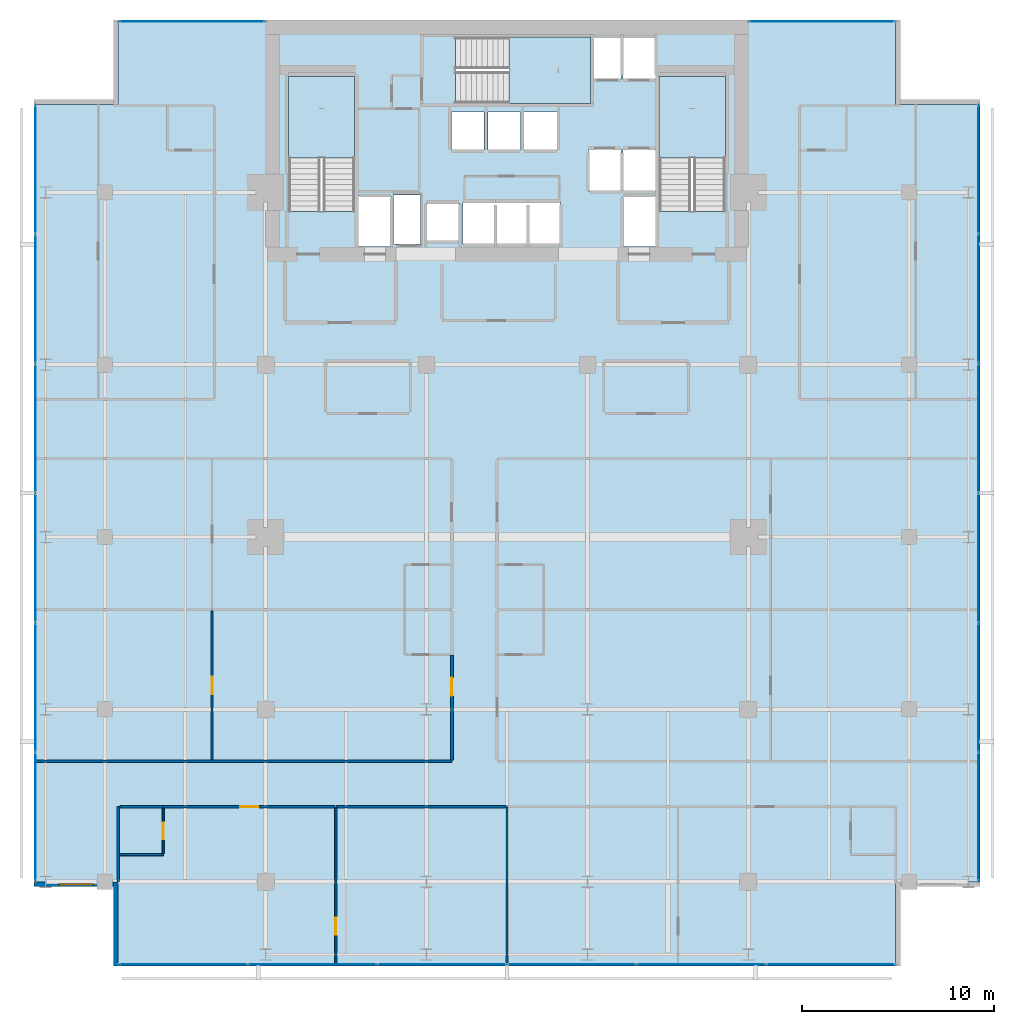
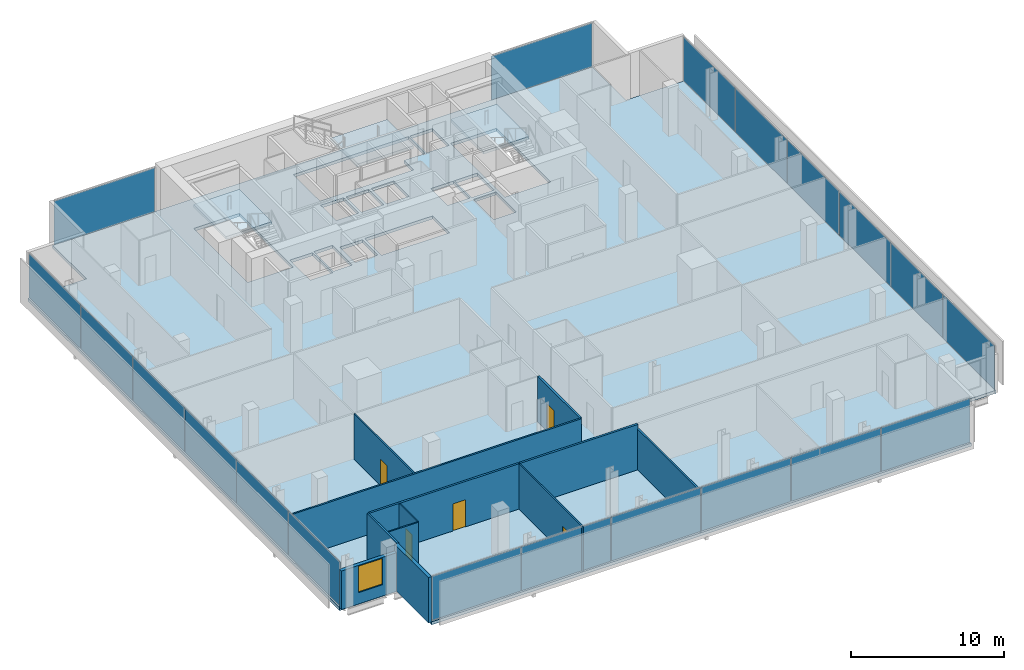
# One storey, part 26 of 32: 20 plates, 13 walls, 5 doors, 4 slabs, 1 window, 6 openings, 8 elements without a shape of their own.
"""IFC4 building model written with IfcOpenShell, lengths in metres."""

from ifc_helpers import new_model, si_unit, direction, frame, frame_2d, origin, origin_2d, place, context, subcontext, project, spatial, polyline, rectangle, outline, extrude, material, layer, layer_set, type_object, element, fill, aggregate, save


model = new_model("IFC4")

# Units and contexts
model_context = context("Model", 3, precision=1e-05, world=origin(), true_north=direction((0.0, 1.0)))
body_context = subcontext(model_context, "Body", "Model", "MODEL_VIEW")
ifc_project = project(units=[si_unit("LENGTHUNIT", "METRE"), si_unit("AREAUNIT", "SQUARE_METRE"), si_unit("VOLUMEUNIT", "CUBIC_METRE"), si_unit("PLANEANGLEUNIT", "RADIAN"), si_unit("MASSUNIT", "GRAM", prefix="KILO")], contexts=[model_context])

# Site, building, storey
site_placement = place(None, origin())
site = spatial("IfcSite", under=ifc_project, at=site_placement, CompositionType="ELEMENT")
building_placement = place(site_placement, origin())
building = spatial("IfcBuilding", under=site, at=building_placement, Name="Maruvema Waterfront Hotel and Observation Tower", CompositionType="ELEMENT")
storey_placement = place(building_placement, frame((0.0, 0.0, 219.800048828125)))
storey = spatial("IfcBuildingStorey", under=building, at=storey_placement, Name="L54", CompositionType="ELEMENT", Elevation=219.800048828125)

# Slab
ifc_material_1 = material(Name="Concrete C50/60", Category="concrete")
ifc_layer_1 = layer(ifc_material_1, 0.239990234375, Name="Reinforced Concrete Floor Slab 240 mm")
ifc_layer_set_1 = layer_set([ifc_layer_1], Name="Concrete C50/60")
slab_type_1 = type_object("IfcSlabType", Name="Reinforced Concrete Floor Slab 240 mm", PredefinedType="FLOOR", material=ifc_layer_set_1)
slab_1_placement = place(storey_placement, frame((0.0, 0.0, -0.239990234375)))
element("IfcSlab", 1, at=slab_1_placement, inside=storey, type_object=slab_type_1, Name="L54 Structural Floor Slab", PredefinedType="FLOOR", context=body_context, shape_type="SweptSolid", body=[
    extrude(outline(polyline([(17.5, 4.60009765625), (58.10009765625, 4.60009765625), (58.10009765625, 9.0), (62.5, 9.0), (62.5, 49.60009765625), (58.10009765625, 49.60009765625), (58.10009765625, 54.0), (17.5, 54.0), (17.5, 49.60009765625), (13.10009765625, 49.60009765625), (13.10009765625, 9.0), (17.5, 9.0), (17.5, 4.60009765625)]), holes=[polyline([(26.39990234375, 44.00048828125), (26.39990234375, 51.050048828125), (29.85009765625, 51.050048828125), (29.85009765625, 44.00048828125), (26.39990234375, 44.00048828125)]), polyline([(30.050048828125, 44.800048828125), (31.75, 44.800048828125), (31.75, 42.169921875), (30.050048828125, 42.169921875), (30.050048828125, 44.800048828125)]), polyline([(31.8798828125, 44.860107421875), (33.280029296875, 44.860107421875), (33.280029296875, 42.2900390625), (31.8798828125, 42.2900390625), (31.8798828125, 44.860107421875)]), polyline([(33.60009765625, 44.449951171875), (35.300048828125, 44.449951171875), (35.300048828125, 42.449951171875), (33.60009765625, 42.449951171875), (33.60009765625, 44.449951171875)]), polyline([(34.89990234375, 49.199951171875), (36.60009765625, 49.199951171875), (36.60009765625, 47.199951171875), (34.89990234375, 47.199951171875), (34.89990234375, 49.199951171875)]), polyline([(36.800048828125, 49.199951171875), (38.5, 49.199951171875), (38.5, 47.199951171875), (36.800048828125, 47.199951171875), (36.800048828125, 49.199951171875)]), polyline([(35.5, 42.300048828125), (35.5, 44.5), (40.60009765625, 44.5), (40.60009765625, 42.300048828125), (35.5, 42.300048828125)]), polyline([(35.1005859375, 53.10009765625), (43.75, 53.10009765625), (43.75, 50.89990234375), (42.14990234375, 50.89990234375), (42.14990234375, 49.64990234375), (35.1005859375, 49.64990234375), (35.1005859375, 53.10009765625)]), polyline([(38.699951171875, 49.199951171875), (40.39990234375, 49.199951171875), (40.39990234375, 47.199951171875), (38.699951171875, 47.199951171875), (38.699951171875, 49.199951171875)]), polyline([(42.050048828125, 47.25), (43.75, 47.25), (43.75, 45.050048828125), (42.050048828125, 45.050048828125), (42.050048828125, 47.25)]), polyline([(43.85009765625, 44.800048828125), (45.550048828125, 44.800048828125), (45.550048828125, 42.169921875), (43.85009765625, 42.169921875), (43.85009765625, 44.800048828125)]), polyline([(43.85009765625, 47.25), (45.550048828125, 47.25), (45.550048828125, 45.050048828125), (43.85009765625, 45.050048828125), (43.85009765625, 47.25)]), polyline([(45.550048828125, 53.10009765625), (45.550048828125, 50.89990234375), (43.85009765625, 50.89990234375), (43.85009765625, 53.10009765625), (45.550048828125, 53.10009765625)]), polyline([(45.75, 44.00048828125), (45.75, 51.050048828125), (49.199951171875, 51.050048828125), (49.199951171875, 44.00048828125), (45.75, 44.00048828125)])]), origin(), (0.0, 0.0, 1.0), 0.239990234375),
])

# Curtain wall, plates
ifc_material_2 = material(Name="Anodised bronze aluminium and solar-control low-E IGU", Category="aluminium")
ifc_layer_2 = layer(ifc_material_2, 0.159912109375, Name="Zone 2 Amber Inner Thermal Curtain Wall System CW-03")
ifc_layer_set_2 = layer_set([ifc_layer_2], Name="Anodised bronze aluminium and solar-control low-E IGU")
curtain_wall_type = type_object("IfcCurtainWallType", Name="Zone 2 Amber Inner Thermal Curtain Wall System CW-03", PredefinedType="USERDEFINED", material=ifc_layer_set_2)
curtain_wall_1_placement = place(storey_placement, origin())
curtain_wall_1 = element("IfcCurtainWall", 2, at=curtain_wall_1_placement, inside=storey, type_object=curtain_wall_type, Name="L54 Curtain Wall CW-L54-S", ObjectType="UNITISED CURTAIN WALL", PredefinedType="USERDEFINED")
ifc_material_3 = material(Name="Laminated low-E solar-control double glazing", Category="glass")
ifc_layer_3 = layer(ifc_material_3, 0.035888671875, Name="Solar Control Double-Glazed Curtain Panel 36 mm")
ifc_layer_set_3 = layer_set([ifc_layer_3], Name="Laminated low-E solar-control double glazing")
plate_type = type_object("IfcPlateType", Name="Solar Control Double-Glazed Curtain Panel 36 mm", PredefinedType="CURTAIN_PANEL", material=ifc_layer_set_3)
plate_1_placement = place(storey_placement, frame((20.8984375, 4.679931640625, 0.06005859375), z_axis=(0.0, 0.0, 1.0), x_axis=(1.0, 0.0, 0.0)))
plate_1 = element("IfcPlate", 3, at=plate_1_placement, type_object=plate_type, Name="CW-03 panel 1.1", PredefinedType="CURTAIN_PANEL", context=body_context, shape_type="SweptSolid", body=[
    extrude(rectangle(XDim=6.6767578125, YDim=0.028076171875, at=origin_2d()), origin(), (0.0, 0.0, 1.0), 3.489990234375),
])
plate_2_placement = place(storey_placement, frame((27.64990234375, 4.679931640625, 0.06005859375), z_axis=(0.0, 0.0, 1.0), x_axis=(1.0, 0.0, 0.0)))
plate_2 = element("IfcPlate", 4, at=plate_2_placement, type_object=plate_type, Name="CW-03 panel 2.1", PredefinedType="CURTAIN_PANEL", context=body_context, shape_type="SweptSolid", body=[
    extrude(rectangle(XDim=6.706787109375, YDim=0.028076171875, at=origin_2d()), origin(), (0.0, 0.0, 1.0), 3.489990234375),
])
plate_3_placement = place(storey_placement, frame((34.416748046875, 4.679931640625, 0.06005859375), z_axis=(0.0, 0.0, 1.0), x_axis=(1.0, 0.0, 0.0)))
plate_3 = element("IfcPlate", 5, at=plate_3_placement, type_object=plate_type, Name="CW-03 panel 3.1", PredefinedType="CURTAIN_PANEL", context=body_context, shape_type="SweptSolid", body=[
    extrude(rectangle(XDim=6.706787109375, YDim=0.028076171875, at=origin_2d()), origin(), (0.0, 0.0, 1.0), 3.489990234375),
])
plate_4_placement = place(storey_placement, frame((41.183349609375, 4.679931640625, 0.06005859375), z_axis=(0.0, 0.0, 1.0), x_axis=(1.0, 0.0, 0.0)))
plate_4 = element("IfcPlate", 6, at=plate_4_placement, type_object=plate_type, Name="CW-03 panel 4.1", PredefinedType="CURTAIN_PANEL", context=body_context, shape_type="SweptSolid", body=[
    extrude(rectangle(XDim=6.706787109375, YDim=0.028076171875, at=origin_2d()), origin(), (0.0, 0.0, 1.0), 3.489990234375),
])
plate_5_placement = place(storey_placement, frame((47.949951171875, 4.679931640625, 0.06005859375), z_axis=(0.0, 0.0, 1.0), x_axis=(1.0, 0.0, 0.0)))
plate_5 = element("IfcPlate", 7, at=plate_5_placement, type_object=plate_type, Name="CW-03 panel 5.1", PredefinedType="CURTAIN_PANEL", context=body_context, shape_type="SweptSolid", body=[
    extrude(rectangle(XDim=6.706787109375, YDim=0.028076171875, at=origin_2d()), origin(), (0.0, 0.0, 1.0), 3.489990234375),
])
plate_6_placement = place(storey_placement, frame((54.70166015625, 4.679931640625, 0.06005859375), z_axis=(0.0, 0.0, 1.0), x_axis=(1.0, 0.0, 0.0)))
plate_6 = element("IfcPlate", 8, at=plate_6_placement, type_object=plate_type, Name="CW-03 panel 6.1", PredefinedType="CURTAIN_PANEL", context=body_context, shape_type="SweptSolid", body=[
    extrude(rectangle(XDim=6.6767578125, YDim=0.028076171875, at=origin_2d()), origin(), (0.0, 0.0, 1.0), 3.489990234375),
])
aggregate(curtain_wall_1, [plate_1, plate_2, plate_3, plate_4, plate_5, plate_6])

curtain_wall_2_placement = place(storey_placement, origin())
curtain_wall_2 = element("IfcCurtainWall", 9, at=curtain_wall_2_placement, inside=storey, type_object=curtain_wall_type, Name="L54 Curtain Wall CW-L54-E", ObjectType="UNITISED CURTAIN WALL", PredefinedType="USERDEFINED")
plate_7_placement = place(storey_placement, frame((62.419921875, 12.3984375, 0.06005859375), z_axis=(0.0, 0.0, 1.0), x_axis=(0.0, 1.0, 0.0)))
plate_7 = element("IfcPlate", 10, at=plate_7_placement, type_object=plate_type, Name="CW-03 panel 1.1", PredefinedType="CURTAIN_PANEL", context=body_context, shape_type="SweptSolid", body=[
    extrude(rectangle(XDim=6.6767578125, YDim=0.028076171875, at=origin_2d()), origin(), (0.0, 0.0, 1.0), 3.489990234375),
])
plate_8_placement = place(storey_placement, frame((62.419921875, 19.14990234375, 0.06005859375), z_axis=(0.0, 0.0, 1.0), x_axis=(0.0, 1.0, 0.0)))
plate_8 = element("IfcPlate", 11, at=plate_8_placement, type_object=plate_type, Name="CW-03 panel 2.1", PredefinedType="CURTAIN_PANEL", context=body_context, shape_type="SweptSolid", body=[
    extrude(rectangle(XDim=6.706787109375, YDim=0.028076171875, at=origin_2d()), origin(), (0.0, 0.0, 1.0), 3.489990234375),
])
plate_9_placement = place(storey_placement, frame((62.419921875, 25.916748046875, 0.06005859375), z_axis=(0.0, 0.0, 1.0), x_axis=(0.0, 1.0, 0.0)))
plate_9 = element("IfcPlate", 12, at=plate_9_placement, type_object=plate_type, Name="CW-03 panel 3.1", PredefinedType="CURTAIN_PANEL", context=body_context, shape_type="SweptSolid", body=[
    extrude(rectangle(XDim=6.706787109375, YDim=0.028076171875, at=origin_2d()), origin(), (0.0, 0.0, 1.0), 3.489990234375),
])
plate_10_placement = place(storey_placement, frame((62.419921875, 32.683349609375, 0.06005859375), z_axis=(0.0, 0.0, 1.0), x_axis=(0.0, 1.0, 0.0)))
plate_10 = element("IfcPlate", 13, at=plate_10_placement, type_object=plate_type, Name="CW-03 panel 4.1", PredefinedType="CURTAIN_PANEL", context=body_context, shape_type="SweptSolid", body=[
    extrude(rectangle(XDim=6.706787109375, YDim=0.028076171875, at=origin_2d()), origin(), (0.0, 0.0, 1.0), 3.489990234375),
])
plate_11_placement = place(storey_placement, frame((62.419921875, 39.449951171875, 0.06005859375), z_axis=(0.0, 0.0, 1.0), x_axis=(0.0, 1.0, 0.0)))
plate_11 = element("IfcPlate", 14, at=plate_11_placement, type_object=plate_type, Name="CW-03 panel 5.1", PredefinedType="CURTAIN_PANEL", context=body_context, shape_type="SweptSolid", body=[
    extrude(rectangle(XDim=6.706787109375, YDim=0.028076171875, at=origin_2d()), origin(), (0.0, 0.0, 1.0), 3.489990234375),
])
plate_12_placement = place(storey_placement, frame((62.419921875, 46.20166015625, 0.06005859375), z_axis=(0.0, 0.0, 1.0), x_axis=(0.0, 1.0, 0.0)))
plate_12 = element("IfcPlate", 15, at=plate_12_placement, type_object=plate_type, Name="CW-03 panel 6.1", PredefinedType="CURTAIN_PANEL", context=body_context, shape_type="SweptSolid", body=[
    extrude(rectangle(XDim=6.6767578125, YDim=0.028076171875, at=origin_2d()), origin(), (0.0, 0.0, 1.0), 3.489990234375),
])
aggregate(curtain_wall_2, [plate_7, plate_8, plate_9, plate_10, plate_11, plate_12])

curtain_wall_3_placement = place(storey_placement, origin())
curtain_wall_3 = element("IfcCurtainWall", 16, at=curtain_wall_3_placement, inside=storey, type_object=curtain_wall_type, Name="L54 Curtain Wall CW-L54-W", ObjectType="UNITISED CURTAIN WALL", PredefinedType="USERDEFINED")
plate_13_placement = place(storey_placement, frame((13.179931640625, 46.20166015625, 0.06005859375), z_axis=(0.0, 0.0, 1.0), x_axis=(0.0, -1.0, 0.0)))
plate_13 = element("IfcPlate", 17, at=plate_13_placement, type_object=plate_type, Name="CW-03 panel 1.1", PredefinedType="CURTAIN_PANEL", context=body_context, shape_type="SweptSolid", body=[
    extrude(rectangle(XDim=6.6767578125, YDim=0.028076171875, at=origin_2d()), origin(), (0.0, 0.0, 1.0), 3.489990234375),
])
plate_14_placement = place(storey_placement, frame((13.179931640625, 39.449951171875, 0.06005859375), z_axis=(0.0, 0.0, 1.0), x_axis=(0.0, -1.0, 0.0)))
plate_14 = element("IfcPlate", 18, at=plate_14_placement, type_object=plate_type, Name="CW-03 panel 2.1", PredefinedType="CURTAIN_PANEL", context=body_context, shape_type="SweptSolid", body=[
    extrude(rectangle(XDim=6.706787109375, YDim=0.028076171875, at=origin_2d()), origin(), (0.0, 0.0, 1.0), 3.489990234375),
])
plate_15_placement = place(storey_placement, frame((13.179931640625, 32.683349609375, 0.06005859375), z_axis=(0.0, 0.0, 1.0), x_axis=(0.0, -1.0, 0.0)))
plate_15 = element("IfcPlate", 19, at=plate_15_placement, type_object=plate_type, Name="CW-03 panel 3.1", PredefinedType="CURTAIN_PANEL", context=body_context, shape_type="SweptSolid", body=[
    extrude(rectangle(XDim=6.706787109375, YDim=0.028076171875, at=origin_2d()), origin(), (0.0, 0.0, 1.0), 3.489990234375),
])
plate_16_placement = place(storey_placement, frame((13.179931640625, 25.916748046875, 0.06005859375), z_axis=(0.0, 0.0, 1.0), x_axis=(0.0, -1.0, 0.0)))
plate_16 = element("IfcPlate", 20, at=plate_16_placement, type_object=plate_type, Name="CW-03 panel 4.1", PredefinedType="CURTAIN_PANEL", context=body_context, shape_type="SweptSolid", body=[
    extrude(rectangle(XDim=6.706787109375, YDim=0.028076171875, at=origin_2d()), origin(), (0.0, 0.0, 1.0), 3.489990234375),
])
plate_17_placement = place(storey_placement, frame((13.179931640625, 19.14990234375, 0.06005859375), z_axis=(0.0, 0.0, 1.0), x_axis=(0.0, -1.0, 0.0)))
plate_17 = element("IfcPlate", 21, at=plate_17_placement, type_object=plate_type, Name="CW-03 panel 5.1", PredefinedType="CURTAIN_PANEL", context=body_context, shape_type="SweptSolid", body=[
    extrude(rectangle(XDim=6.706787109375, YDim=0.028076171875, at=origin_2d()), origin(), (0.0, 0.0, 1.0), 3.489990234375),
])
plate_18_placement = place(storey_placement, frame((13.179931640625, 12.3984375, 0.06005859375), z_axis=(0.0, 0.0, 1.0), x_axis=(0.0, -1.0, 0.0)))
plate_18 = element("IfcPlate", 22, at=plate_18_placement, type_object=plate_type, Name="CW-03 panel 6.1", PredefinedType="CURTAIN_PANEL", context=body_context, shape_type="SweptSolid", body=[
    extrude(rectangle(XDim=6.6767578125, YDim=0.028076171875, at=origin_2d()), origin(), (0.0, 0.0, 1.0), 3.489990234375),
])
aggregate(curtain_wall_3, [plate_13, plate_14, plate_15, plate_16, plate_17, plate_18])

# Curtain wall, plate
curtain_wall_4_placement = place(storey_placement, origin())
curtain_wall_4 = element("IfcCurtainWall", 23, at=curtain_wall_4_placement, inside=storey, type_object=curtain_wall_type, Name="L54 Curtain Wall CW-L54-NW", ObjectType="UNITISED CURTAIN WALL", PredefinedType="USERDEFINED")
plate_19_placement = place(storey_placement, frame((21.35009765625, 53.919921875, 0.06005859375), z_axis=(0.0, 0.0, 1.0), x_axis=(-1.0, 0.0, 0.0)))
plate_19 = element("IfcPlate", 24, at=plate_19_placement, type_object=plate_type, Name="CW-03 panel 1.1", PredefinedType="CURTAIN_PANEL", context=body_context, shape_type="SweptSolid", body=[
    extrude(rectangle(XDim=7.580078125, YDim=0.028076171875, at=origin_2d()), origin(), (0.0, 0.0, 1.0), 3.489990234375),
])
aggregate(curtain_wall_4, [plate_19])

curtain_wall_5_placement = place(storey_placement, origin())
curtain_wall_5 = element("IfcCurtainWall", 25, at=curtain_wall_5_placement, inside=storey, type_object=curtain_wall_type, Name="L54 Curtain Wall CW-L54-NE", ObjectType="UNITISED CURTAIN WALL", PredefinedType="USERDEFINED")
plate_20_placement = place(storey_placement, frame((54.25, 53.919921875, 0.06005859375), z_axis=(0.0, 0.0, 1.0), x_axis=(-1.0, 0.0, 0.0)))
plate_20 = element("IfcPlate", 26, at=plate_20_placement, type_object=plate_type, Name="CW-03 panel 1.1", PredefinedType="CURTAIN_PANEL", context=body_context, shape_type="SweptSolid", body=[
    extrude(rectangle(XDim=7.580078125, YDim=0.028076171875, at=origin_2d()), origin(), (0.0, 0.0, 1.0), 3.489990234375),
])
aggregate(curtain_wall_5, [plate_20])

# Stair, slab
ifc_material_4 = material(Name="Concrete C50/60", Category="concrete")
stair_type = type_object("IfcStairType", Name="Dogleg Exit Stair 1650 mm (22R x 175.0 mm)", PredefinedType="HALF_TURN_STAIR", material=ifc_material_4)
stair_1_placement = place(storey_placement, origin())
stair_1 = element("IfcStair", 27, at=stair_1_placement, inside=storey, type_object=stair_type, Name="L54 ST-01", PredefinedType="HALF_TURN_STAIR")
ifc_material_5 = material(Name="Concrete C50/60", Category="concrete")
ifc_layer_4 = layer(ifc_material_5, 0.219970703125, Name="Stair Concrete Landing Slab 220 mm")
ifc_layer_set_4 = layer_set([ifc_layer_4], Name="Concrete C50/60")
slab_type_2 = type_object("IfcSlabType", Name="Stair Concrete Landing Slab 220 mm", PredefinedType="LANDING", material=ifc_layer_set_4)
slab_2_placement = place(storey_placement, frame((0.0, 0.0, 1.704833984375)))
slab_2 = element("IfcSlab", 28, at=slab_2_placement, type_object=slab_type_2, Name="ST-01 landing 1", PredefinedType="LANDING", context=body_context, shape_type="SweptSolid", body=[
    extrude(outline(polyline([(29.85009765625, 46.800048828125), (29.85009765625, 51.050048828125), (26.39990234375, 51.050048828125), (26.39990234375, 46.800048828125), (29.85009765625, 46.800048828125)])), origin(), (0.0, 0.0, 1.0), 0.22021484375),
])
aggregate(stair_1, [slab_2])

stair_2_placement = place(storey_placement, origin())
stair_2 = element("IfcStair", 29, at=stair_2_placement, inside=storey, type_object=stair_type, Name="L54 ST-02", PredefinedType="HALF_TURN_STAIR")
slab_3_placement = place(storey_placement, frame((0.0, 0.0, 1.704833984375)))
slab_3 = element("IfcSlab", 30, at=slab_3_placement, type_object=slab_type_2, Name="ST-02 landing 1", PredefinedType="LANDING", context=body_context, shape_type="SweptSolid", body=[
    extrude(outline(polyline([(37.89990234375, 49.64990234375), (42.14990234375, 49.64990234375), (42.14990234375, 53.10009765625), (37.89990234375, 53.10009765625), (37.89990234375, 49.64990234375)])), origin(), (0.0, 0.0, 1.0), 0.22021484375),
])
aggregate(stair_2, [slab_3])

stair_3_placement = place(storey_placement, origin())
stair_3 = element("IfcStair", 31, at=stair_3_placement, inside=storey, type_object=stair_type, Name="L54 ST-03", PredefinedType="HALF_TURN_STAIR")
slab_4_placement = place(storey_placement, frame((0.0, 0.0, 1.704833984375)))
slab_4 = element("IfcSlab", 32, at=slab_4_placement, type_object=slab_type_2, Name="ST-03 landing 1", PredefinedType="LANDING", context=body_context, shape_type="SweptSolid", body=[
    extrude(outline(polyline([(49.199951171875, 46.800048828125), (49.199951171875, 51.050048828125), (45.75, 51.050048828125), (45.75, 46.800048828125), (49.199951171875, 46.800048828125)])), origin(), (0.0, 0.0, 1.0), 0.22021484375),
])
aggregate(stair_3, [slab_4])

# Wall
ifc_material_6 = material(Name="Twin-stud acoustic gypsum drywall", Category="gypsum")
ifc_layer_5 = layer(ifc_material_6, 0.14990234375, Name="Acoustic Corridor and Suite Demising Wall 150 mm")
ifc_layer_set_5 = layer_set([ifc_layer_5], Name="Twin-stud acoustic gypsum drywall")
wall_type_1 = type_object("IfcWallType", Name="Acoustic Corridor and Suite Demising Wall 150 mm", PredefinedType="PARTITIONING", material=ifc_layer_set_5)
wall_1_placement = place(storey_placement, frame((17.580078125, 12.919921875, 0.0), z_axis=(0.0, 0.0, 1.0), x_axis=(1.0, 0.0, 0.0)))
element("IfcWall", 33, at=wall_1_placement, inside=storey, type_object=wall_type_1, Name="L54 Bath L54-S1 Back Wall 031", PredefinedType="PARTITIONING", context=body_context, shape_type="SweptSolid", body=[
    extrude(rectangle(XDim=2.27001953125, YDim=0.14990234375, at=frame_2d((1.135009765625, 0.0))), origin(), (0.0, 0.0, 1.0), 3.60986328125),
])

# Wall, opening, door
wall_2_placement = place(storey_placement, frame((19.85009765625, 12.919921875, 0.0), z_axis=(0.0, 0.0, 1.0), x_axis=(1.0, 0.0, 0.0)))
wall_2 = element("IfcWall", 34, at=wall_2_placement, inside=storey, type_object=wall_type_1, Name="L54 Unit L54-S1 Corridor Wall 034", PredefinedType="PARTITIONING", context=body_context, shape_type="SweptSolid", body=[
    extrude(rectangle(XDim=8.977783203125, YDim=0.14990234375, at=frame_2d((4.48876953125, 0.0))), origin(), (0.0, 0.0, 1.0), 3.60986328125),
])
opening_1_placement = place(wall_2_placement, frame((4.013916015625, 0.0, 0.0)))
opening_1 = element("IfcOpeningElement", 35, at=opening_1_placement, cuts=wall_2, Name="Opening DR-095", PredefinedType="OPENING", context=body_context, shape_type="SweptSolid", body=[
    extrude(rectangle(XDim=0.949951171875, YDim=2.14990234375, at=frame_2d((0.47509765625, 1.074951171875))), frame((0.0, 0.0849609375, 0.0), z_axis=(0.0, -1.0, 0.0), x_axis=(1.0, 0.0, 0.0)), (0.0, 0.0, 1.0), 0.169921875),
])
ifc_material_7 = material(Name="Acoustic solid-core hardwood timber leaf", Category="wood")
door_type_1 = type_object("IfcDoorType", Name="Guestroom Entrance Fire Door 950x2150 mm", OperationType="NOTDEFINED", PredefinedType="DOOR", material=ifc_material_7)
door_1_placement = place(opening_1_placement, frame((0.949951171875, 0.0, 0.0), z_axis=(0.0, 0.0, 1.0), x_axis=(-1.0, 0.0, 0.0)))
door_1 = element("IfcDoor", 36, at=door_1_placement, inside=storey, type_object=door_type_1, Name="L54 Unit L54-S1 Entrance Door", OperationType="SINGLE_SWING_LEFT", OverallHeight=2.14990234375, OverallWidth=0.949951171875, PredefinedType="DOOR", context=body_context, shape_type="SweptSolid", body=[
    extrude(rectangle(XDim=0.949951171875, YDim=2.14990234375, at=frame_2d((0.47509765625, 1.074951171875))), frame((0.0, 0.02490234375, 0.0), z_axis=(0.0, -1.0, 0.0), x_axis=(1.0, 0.0, 0.0)), (0.0, 0.0, 1.0), 0.050048828125),
])
fill(opening_1, door_1)

# Wall
wall_3_placement = place(storey_placement, frame((28.907958984375, 12.919921875, 0.0), z_axis=(0.0, 0.0, 1.0), x_axis=(1.0, 0.0, 0.0)))
element("IfcWall", 37, at=wall_3_placement, inside=storey, type_object=wall_type_1, Name="L54 Bedroom L54-S1 Back Wall 035", PredefinedType="PARTITIONING", context=body_context, shape_type="SweptSolid", body=[
    extrude(rectangle(XDim=8.8720703125, YDim=0.14990234375, at=frame_2d((4.43603515625, 0.0))), origin(), (0.0, 0.0, 1.0), 3.60986328125),
])

# Wall, opening, door
wall_4_placement = place(storey_placement, frame((34.919921875, 15.360107421875, 0.0), z_axis=(0.0, 0.0, 1.0), x_axis=(0.0, 1.0, 0.0)))
wall_4 = element("IfcWall", 38, at=wall_4_placement, inside=storey, type_object=wall_type_1, Name="L54 Room L54-W1 Corridor Wall 048", PredefinedType="PARTITIONING", context=body_context, shape_type="SweptSolid", body=[
    extrude(rectangle(XDim=5.489990234375, YDim=0.14990234375, at=frame_2d((2.7451171875, 0.0))), origin(), (0.0, 0.0, 1.0), 3.60986328125),
])
opening_2_placement = place(wall_4_placement, frame((3.35009765625, 0.0, 0.0)))
opening_2 = element("IfcOpeningElement", 39, at=opening_2_placement, cuts=wall_4, Name="Opening DR-095", PredefinedType="OPENING", context=body_context, shape_type="SweptSolid", body=[
    extrude(rectangle(XDim=0.949951171875, YDim=2.14990234375, at=frame_2d((0.47509765625, 1.074951171875))), frame((0.0, 0.0849609375, 0.0), z_axis=(0.0, -1.0, 0.0), x_axis=(1.0, 0.0, 0.0)), (0.0, 0.0, 1.0), 0.169921875),
])
door_2_placement = place(opening_2_placement, origin())
door_2 = element("IfcDoor", 40, at=door_2_placement, inside=storey, type_object=door_type_1, Name="L54 Room L54-W1 Entrance Door", OperationType="SINGLE_SWING_LEFT", OverallHeight=2.14990234375, OverallWidth=0.949951171875, PredefinedType="DOOR", context=body_context, shape_type="SweptSolid", body=[
    extrude(rectangle(XDim=0.949951171875, YDim=2.14990234375, at=frame_2d((0.47509765625, 1.074951171875))), frame((0.0, 0.02490234375, 0.0), z_axis=(0.0, -1.0, 0.0), x_axis=(1.0, 0.0, 0.0)), (0.0, 0.0, 1.0), 0.050048828125),
])
fill(opening_2, door_2)

# Wall
ifc_material_8 = material(Name="Moisture-resistant cement-board drywall", Category="gypsum")
ifc_layer_6 = layer(ifc_material_8, 0.10009765625, Name="En-Suite Moisture-Resistant Partition 100 mm")
ifc_layer_set_6 = layer_set([ifc_layer_6], Name="Moisture-resistant cement-board drywall")
wall_type_2 = type_object("IfcWallType", Name="En-Suite Moisture-Resistant Partition 100 mm", PredefinedType="PARTITIONING", material=ifc_layer_set_6)
wall_5_placement = place(storey_placement, frame((17.580078125, 10.419921875, 0.0), z_axis=(0.0, 0.0, 1.0), x_axis=(1.0, 0.0, 0.0)))
element("IfcWall", 41, at=wall_5_placement, inside=storey, type_object=wall_type_2, Name="L54 En-Suite L54-S1 South 032", PredefinedType="PARTITIONING", context=body_context, shape_type="SweptSolid", body=[
    extrude(rectangle(XDim=2.27001953125, YDim=0.10009765625, at=frame_2d((1.135009765625, 0.0))), origin(), (0.0, 0.0, 1.0), 3.60986328125),
])

# Wall, opening, door
wall_6_placement = place(storey_placement, frame((19.85009765625, 10.47998046875, 0.0), z_axis=(0.0, 0.0, 1.0), x_axis=(0.0, 1.0, 0.0)))
wall_6 = element("IfcWall", 42, at=wall_6_placement, inside=storey, type_object=wall_type_2, Name="L54 En-Suite L54-S1 East 033", PredefinedType="PARTITIONING", context=body_context, shape_type="SweptSolid", body=[
    extrude(rectangle(XDim=2.340087890625, YDim=0.10009765625, at=frame_2d((1.169921875, 0.0))), origin(), (0.0, 0.0, 1.0), 3.60986328125),
])
opening_3_placement = place(wall_6_placement, frame((0.7451171875, 0.0, 0.0)))
opening_3 = element("IfcOpeningElement", 43, at=opening_3_placement, cuts=wall_6, Name="Opening DR-085", PredefinedType="OPENING", context=body_context, shape_type="SweptSolid", body=[
    extrude(rectangle(XDim=0.85009765625, YDim=2.10009765625, at=frame_2d((0.425048828125, 1.050048828125))), frame((0.0, 0.06005859375, 0.0), z_axis=(0.0, -1.0, 0.0), x_axis=(1.0, 0.0, 0.0)), (0.0, 0.0, 1.0), 0.1201171875),
])
ifc_material_9 = material(Name="Moisture-resistant solid timber leaf", Category="wood")
door_type_2 = type_object("IfcDoorType", Name="En-Suite Bathroom Door 850x2100 mm", OperationType="NOTDEFINED", PredefinedType="DOOR", material=ifc_material_9)
door_3_placement = place(opening_3_placement, frame((0.85009765625, 0.0, 0.0), z_axis=(0.0, 0.0, 1.0), x_axis=(-1.0, 0.0, 0.0)))
door_3 = element("IfcDoor", 44, at=door_3_placement, inside=storey, type_object=door_type_2, Name="L54 En-Suite L54-S1 Door", OperationType="SINGLE_SWING_RIGHT", OverallHeight=2.10009765625, OverallWidth=0.85009765625, PredefinedType="DOOR", context=body_context, shape_type="SweptSolid", body=[
    extrude(rectangle(XDim=0.85009765625, YDim=2.10009765625, at=frame_2d((0.425048828125, 1.050048828125))), frame((0.0, 0.02490234375, 0.0), z_axis=(0.0, -1.0, 0.0), x_axis=(1.0, 0.0, 0.0)), (0.0, 0.0, 1.0), 0.050048828125),
])
fill(opening_3, door_3)

wall_7_placement = place(storey_placement, frame((28.867919921875, 4.6298828125, 0.0), z_axis=(0.0, 0.0, 1.0), x_axis=(0.0, 1.0, 0.0)))
wall_7 = element("IfcWall", 45, at=wall_7_placement, inside=storey, type_object=wall_type_2, Name="L54 Suite L54-S1 Split 036", PredefinedType="PARTITIONING", context=body_context, shape_type="SweptSolid", body=[
    extrude(rectangle(XDim=8.230224609375, YDim=0.10009765625, at=frame_2d((4.115234375, 0.0))), origin(), (0.0, 0.0, 1.0), 3.60986328125),
])
opening_4_placement = place(wall_7_placement, frame((1.60009765625, 0.0, 0.0)))
opening_4 = element("IfcOpeningElement", 46, at=opening_4_placement, cuts=wall_7, Name="Opening DR-090", PredefinedType="OPENING", context=body_context, shape_type="SweptSolid", body=[
    extrude(rectangle(XDim=0.89990234375, YDim=2.10009765625, at=frame_2d((0.449951171875, 1.050048828125))), frame((0.0, 0.06005859375, 0.0), z_axis=(0.0, -1.0, 0.0), x_axis=(1.0, 0.0, 0.0)), (0.0, 0.0, 1.0), 0.1201171875),
])
ifc_material_10 = material(Name="Solid-core lacquered timber leaf", Category="wood")
door_type_3 = type_object("IfcDoorType", Name="Accessible Toilet and Room Door 900x2100 mm", OperationType="NOTDEFINED", PredefinedType="DOOR", material=ifc_material_10)
door_4_placement = place(opening_4_placement, origin())
door_4 = element("IfcDoor", 47, at=door_4_placement, inside=storey, type_object=door_type_3, Name="L54 Suite L54-S1 Bedroom Door", OperationType="SINGLE_SWING_RIGHT", OverallHeight=2.10009765625, OverallWidth=0.89990234375, PredefinedType="DOOR", context=body_context, shape_type="SweptSolid", body=[
    extrude(rectangle(XDim=0.89990234375, YDim=2.10009765625, at=frame_2d((0.449951171875, 1.050048828125))), frame((0.0, 0.02490234375, 0.0), z_axis=(0.0, -1.0, 0.0), x_axis=(1.0, 0.0, 0.0)), (0.0, 0.0, 1.0), 0.050048828125),
])
fill(opening_4, door_4)

wall_8_placement = place(storey_placement, frame((22.397705078125, 15.360107421875, 0.0), z_axis=(0.0, 0.0, 1.0), x_axis=(0.0, 1.0, 0.0)))
wall_8 = element("IfcWall", 48, at=wall_8_placement, inside=storey, type_object=wall_type_2, Name="L54 Suite L54-W1 Split 052", PredefinedType="PARTITIONING", context=body_context, shape_type="SweptSolid", body=[
    extrude(rectangle(XDim=7.77978515625, YDim=0.10009765625, at=frame_2d((3.889892578125, 0.0))), origin(), (0.0, 0.0, 1.0), 3.60986328125),
])
opening_5_placement = place(wall_8_placement, frame((3.43994140625, 0.0, 0.0)))
opening_5 = element("IfcOpeningElement", 49, at=opening_5_placement, cuts=wall_8, Name="Opening DR-090", PredefinedType="OPENING", context=body_context, shape_type="SweptSolid", body=[
    extrude(rectangle(XDim=0.89990234375, YDim=2.10009765625, at=frame_2d((0.449951171875, 1.050048828125))), frame((0.0, 0.06005859375, 0.0), z_axis=(0.0, -1.0, 0.0), x_axis=(1.0, 0.0, 0.0)), (0.0, 0.0, 1.0), 0.1201171875),
])
door_5_placement = place(opening_5_placement, origin())
door_5 = element("IfcDoor", 50, at=door_5_placement, inside=storey, type_object=door_type_3, Name="L54 Suite L54-W1 Bedroom Door", OperationType="SINGLE_SWING_RIGHT", OverallHeight=2.10009765625, OverallWidth=0.89990234375, PredefinedType="DOOR", context=body_context, shape_type="SweptSolid", body=[
    extrude(rectangle(XDim=0.89990234375, YDim=2.10009765625, at=frame_2d((0.449951171875, 1.050048828125))), frame((0.0, 0.02490234375, 0.0), z_axis=(0.0, -1.0, 0.0), x_axis=(1.0, 0.0, 0.0)), (0.0, 0.0, 1.0), 0.050048828125),
])
fill(opening_5, door_5)

# Wall
ifc_material_11 = material(Name="Precast concrete C45/55 with honed Pernambuco granite facing", Category="masonry")
ifc_layer_7 = layer(ifc_material_11, 0.260009765625, Name="Exterior Granite Clad Spandrel and Pier Wall 260 mm")
ifc_layer_set_7 = layer_set([ifc_layer_7], Name="Precast concrete C45/55 with honed Pernambuco granite facing")
wall_type_3 = type_object("IfcWallType", Name="Exterior Granite Clad Spandrel and Pier Wall 260 mm", PredefinedType="SOLIDWALL", material=ifc_layer_set_7)
wall_9_placement = place(storey_placement, frame((17.3701171875, 4.60009765625, 0.0), z_axis=(0.0, 0.0, 1.0), x_axis=(0.0, 1.0, 0.0)))
element("IfcWall", 51, at=wall_9_placement, inside=storey, type_object=wall_type_3, Name="L54 Corner Notch Granite Pier Wall SW1", PredefinedType="SOLIDWALL", context=body_context, shape_type="SweptSolid", body=[
    extrude(rectangle(XDim=4.39990234375, YDim=0.260009765625, at=frame_2d((2.199951171875, 0.0))), origin(), (0.0, 0.0, 1.0), 3.60986328125),
])

# Wall, opening, window
wall_10_placement = place(storey_placement, frame((17.5, 8.8701171875, 0.0), z_axis=(0.0, 0.0, 1.0), x_axis=(-1.0, 0.0, 0.0)))
wall_10 = element("IfcWall", 52, at=wall_10_placement, inside=storey, type_object=wall_type_3, Name="L54 Corner Notch Granite Pier Wall SW2", PredefinedType="SOLIDWALL", context=body_context, shape_type="SweptSolid", body=[
    extrude(rectangle(XDim=4.39990234375, YDim=0.260009765625, at=frame_2d((2.199951171875, 0.0))), origin(), (0.0, 0.0, 1.0), 3.071044921875),
])
opening_6_placement = place(wall_10_placement, frame((1.300048828125, 0.0, 0.89990234375)))
opening_6 = element("IfcOpeningElement", 53, at=opening_6_placement, cuts=wall_10, Name="Opening WN-02", PredefinedType="OPENING", context=body_context, shape_type="SweptSolid", body=[
    extrude(rectangle(XDim=1.800048828125, YDim=2.10009765625, at=frame_2d((0.89990234375, 1.050048828125))), frame((0.0, 0.14013671875, 0.0), z_axis=(0.0, -1.0, 0.0), x_axis=(1.0, 0.0, 0.0)), (0.0, 0.0, 1.0), 0.280029296875),
])
ifc_material_12 = material(Name="Anodised bronze aluminium frame with laminated low-E glass", Category="aluminium")
window_type = type_object("IfcWindowType", Name="Upper Notch Feature Window 1800x2100 mm", PartitioningType="SINGLE_PANEL", PredefinedType="WINDOW", material=ifc_material_12)
window_placement = place(opening_6_placement, origin())
window = element("IfcWindow", 54, at=window_placement, inside=storey, type_object=window_type, Name="L54 Corner Notch Punched Window SW2", OverallHeight=2.10009765625, OverallWidth=1.800048828125, PartitioningType="SINGLE_PANEL", PredefinedType="WINDOW", context=body_context, shape_type="SweptSolid", body=[
    extrude(rectangle(XDim=1.800048828125, YDim=2.10009765625, at=frame_2d((0.89990234375, 1.050048828125))), frame((0.0, 0.030029296875, 0.0), z_axis=(0.0, -1.0, 0.0), x_axis=(1.0, 0.0, 0.0)), (0.0, 0.0, 1.0), 0.06005859375),
])
fill(opening_6, window)

# Walls
ifc_material_13 = material(Name="Acoustic gypsum plasterboard drywall", Category="gypsum")
ifc_layer_8 = layer(ifc_material_13, 0.125, Name="Guestroom Acoustic Demising Wall 125 mm")
ifc_layer_set_8 = layer_set([ifc_layer_8], Name="Acoustic gypsum plasterboard drywall")
wall_type_4 = type_object("IfcWallType", Name="Guestroom Acoustic Demising Wall 125 mm", PredefinedType="PARTITIONING", material=ifc_layer_set_8)
wall_11_placement = place(storey_placement, frame((17.5, 9.0, 0.0), z_axis=(0.0, 0.0, 1.0), x_axis=(0.0, 1.0, 0.0)))
element("IfcWall", 55, at=wall_11_placement, inside=storey, type_object=wall_type_4, Name="L54 Z2 S West End 029", PredefinedType="PARTITIONING", context=body_context, shape_type="SweptSolid", body=[
    extrude(rectangle(XDim=3.919921875, YDim=0.125, at=frame_2d((1.9599609375, 0.0))), origin(), (0.0, 0.0, 1.0), 3.60986328125),
])
wall_12_placement = place(storey_placement, frame((37.800048828125, 4.699951171875, 0.0), z_axis=(0.0, 0.0, 1.0), x_axis=(0.0, 1.0, 0.0)))
element("IfcWall", 56, at=wall_12_placement, inside=storey, type_object=wall_type_4, Name="L54 Z2 S Demising 2 037", PredefinedType="PARTITIONING", context=body_context, shape_type="SweptSolid", body=[
    extrude(rectangle(XDim=8.219970703125, YDim=0.125, at=frame_2d((4.10986328125, 0.0))), origin(), (0.0, 0.0, 1.0), 3.2548828125),
])
wall_13_placement = place(storey_placement, frame((13.199951171875, 15.300048828125, 0.0), z_axis=(0.0, 0.0, 1.0), x_axis=(1.0, 0.0, 0.0)))
element("IfcWall", 57, at=wall_13_placement, inside=storey, type_object=wall_type_4, Name="L54 Z2 W Bot End 044", PredefinedType="PARTITIONING", context=body_context, shape_type="SweptSolid", body=[
    extrude(rectangle(XDim=21.719970703125, YDim=0.125, at=frame_2d((10.85986328125, 0.0))), origin(), (0.0, 0.0, 1.0), 3.60986328125),
])

save(model, "model.ifc")
